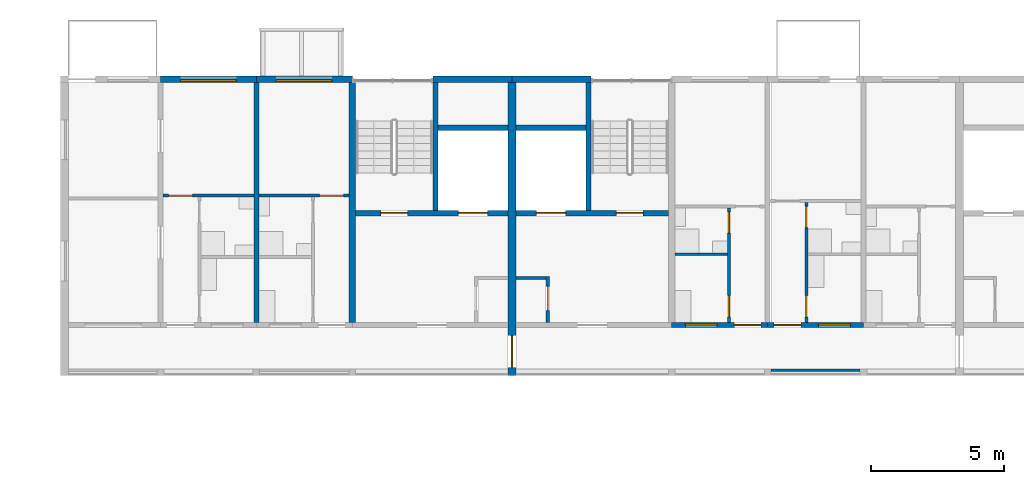
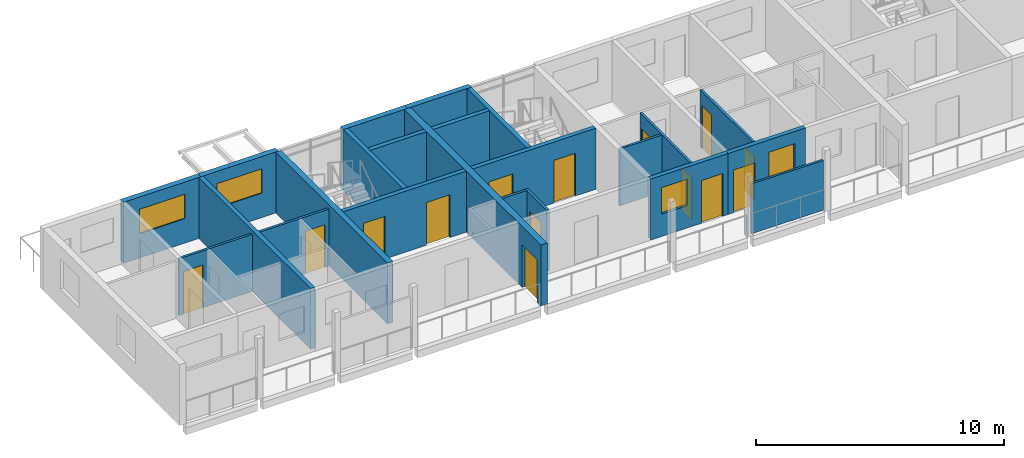
# One storey, part 49 of 115: 23 walls, 14 doors, 4 windows, 18 openings.
"""IFC4 building model written with IfcOpenShell, lengths in metres."""

from ifc_helpers import new_model, si_unit, direction, frame, frame_2d, origin, place, context, subcontext, project, spatial, rectangle, extrude, material, layer, layer_set, type_object, element, fill, save


model = new_model("IFC4")

# Units and contexts
model_context = context("Model", 3, precision=1e-05, world=origin(), true_north=direction((0.0, 1.0)))
body_context = subcontext(model_context, "Body", "Model", "MODEL_VIEW")
ifc_project = project(units=[si_unit("LENGTHUNIT", "METRE"), si_unit("AREAUNIT", "SQUARE_METRE"), si_unit("VOLUMEUNIT", "CUBIC_METRE"), si_unit("PLANEANGLEUNIT", "RADIAN"), si_unit("MASSUNIT", "GRAM", prefix="KILO")], contexts=[model_context])

# Site, building, storey
site_placement = place(None, origin())
site = spatial("IfcSite", under=ifc_project, at=site_placement, CompositionType="ELEMENT")
building_placement = place(site_placement, origin())
building = spatial("IfcBuilding", under=site, at=building_placement, Name="Ridgestep Commons", CompositionType="ELEMENT")
storey_placement = place(building_placement, frame((0.0, 0.0, 6.0)))
storey = spatial("IfcBuildingStorey", under=building, at=storey_placement, Name="L02", CompositionType="ELEMENT", Elevation=6.0)

# Wall
ifc_material_1 = material(Name="Concrete C30/37", Category="concrete")
ifc_layer_1 = layer(ifc_material_1, 0.25)
ifc_layer_set_1 = layer_set([ifc_layer_1], Name="Core cross wall 250")
wall_type_1 = type_object("IfcWallType", Name="Core cross wall 250", PredefinedType="SHEAR", material=ifc_layer_set_1)
wall_1_placement = place(storey_placement, frame((22.800048828125, 68.0, 0.0), z_axis=(0.0, 0.0, 1.0), x_axis=(0.0, 1.0, 0.0)))
element("IfcWall", 1, at=wall_1_placement, inside=storey, type_object=wall_type_1, Name="Cross wall B-02-0228", PredefinedType="SHEAR", context=body_context, shape_type="SweptSolid", body=[
    extrude(rectangle(XDim=9.0, YDim=0.25, at=frame_2d((4.5, 0.0))), origin(), (0.0, 0.0, 1.0), 3.0),
])

# Wall, opening, door
ifc_material_2 = material(Name="Concrete C30/37", Category="concrete")
ifc_layer_2 = layer(ifc_material_2, 0.1201171875)
ifc_layer_set_2 = layer_set([ifc_layer_2], Name="Core wall 120")
wall_type_2 = type_object("IfcWallType", Name="Core wall 120", PredefinedType="SHEAR", material=ifc_layer_set_2)
wall_2_placement = place(storey_placement, frame((30.139892578125, 68.0, 0.0), z_axis=(0.0, 0.0, 1.0), x_axis=(0.0, 1.0, 0.0)))
wall_2 = element("IfcWall", 2, at=wall_2_placement, inside=storey, type_object=wall_type_2, Name="Core riser w wall B2C L02", PredefinedType="SHEAR", context=body_context, shape_type="SweptSolid", body=[
    extrude(rectangle(XDim=1.719970703125, YDim=0.1201171875, at=frame_2d((0.85986328125, 0.0))), origin(), (0.0, 0.0, 1.0), 3.0),
])
opening_1_placement = place(wall_2_placement, frame((0.449951171875, 0.0, 0.0)))
opening_1 = element("IfcOpeningElement", 3, at=opening_1_placement, cuts=wall_2, Name="Opening B2C/02/4", PredefinedType="OPENING", context=body_context, shape_type="SweptSolid", body=[
    extrude(rectangle(XDim=0.89990234375, YDim=2.10009765625, at=frame_2d((0.449951171875, 1.050048828125))), frame((0.0, 0.070068359375, 0.0), z_axis=(0.0, -1.0, 0.0), x_axis=(1.0, 0.0, 0.0)), (0.0, 0.0, 1.0), 0.14013671875),
])
ifc_material_3 = material(Name="Steel fire door", Category="steel")
door_type_1 = type_object("IfcDoorType", Name="Riser door 900 x 2100 FD60", OperationType="NOTDEFINED", PredefinedType="DOOR", material=ifc_material_3)
door_1_placement = place(opening_1_placement, origin())
door_1 = element("IfcDoor", 4, at=door_1_placement, inside=storey, type_object=door_type_1, Name="Riser door B2C/02/4", OperationType="SINGLE_SWING_RIGHT", OverallHeight=2.10009765625, OverallWidth=0.89990234375, PredefinedType="DOOR", context=body_context, shape_type="SweptSolid", body=[
    extrude(rectangle(XDim=0.89990234375, YDim=2.10009765625, at=frame_2d((0.449951171875, 1.050048828125))), frame((0.0, 0.02490234375, 0.0), z_axis=(0.0, -1.0, 0.0), x_axis=(1.0, 0.0, 0.0)), (0.0, 0.0, 1.0), 0.050048828125),
])
fill(opening_1, door_1)

# Wall
wall_3_placement = place(storey_placement, frame((28.949951171875, 69.659912109375, 0.0), z_axis=(0.0, 0.0, 1.0), x_axis=(1.0, 0.0, 0.0)))
element("IfcWall", 5, at=wall_3_placement, inside=storey, type_object=wall_type_2, Name="Core riser n wall B2C L02", PredefinedType="SHEAR", context=body_context, shape_type="SweptSolid", body=[
    extrude(rectangle(XDim=1.130126953125, YDim=0.1201171875, at=frame_2d((0.56494140625, 0.0))), origin(), (0.0, 0.0, 1.0), 3.0),
])

# Wall, openings, doors
ifc_material_4 = material(Name="Concrete C30/37", Category="concrete")
ifc_layer_3 = layer(ifc_material_4, 0.199951171875)
ifc_layer_set_3 = layer_set([ifc_layer_3], Name="Core wall 200")
wall_type_3 = type_object("IfcWallType", Name="Core wall 200", PredefinedType="SHEAR", material=ifc_layer_set_3)
wall_4_placement = place(storey_placement, frame((22.925048828125, 72.10009765625, 0.0), z_axis=(0.0, 0.0, 1.0), x_axis=(1.0, 0.0, 0.0)))
wall_4 = element("IfcWall", 6, at=wall_4_placement, inside=storey, type_object=wall_type_3, Name="Core lobby wall B1C L02", PredefinedType="SHEAR", context=body_context, shape_type="SweptSolid", body=[
    extrude(rectangle(XDim=5.724853515625, YDim=0.199951171875, at=frame_2d((2.8623046875, 0.0))), origin(), (0.0, 0.0, 1.0), 3.0),
])
opening_2_placement = place(wall_4_placement, frame((0.949951171875, 0.0, 0.0)))
opening_2 = element("IfcOpeningElement", 7, at=opening_2_placement, cuts=wall_4, Name="Opening B1C/02/2", PredefinedType="OPENING", context=body_context, shape_type="SweptSolid", body=[
    extrude(rectangle(XDim=1.0, YDim=2.10009765625, at=frame_2d((0.5, 1.050048828125))), frame((0.0, 0.10986328125, 0.0), z_axis=(0.0, -1.0, 0.0), x_axis=(1.0, 0.0, 0.0)), (0.0, 0.0, 1.0), 0.219970703125),
])
opening_3_placement = place(wall_4_placement, frame((3.862548828125, 0.0, 0.0)))
opening_3 = element("IfcOpeningElement", 8, at=opening_3_placement, cuts=wall_4, Name="Opening B1C/02/3", PredefinedType="OPENING", context=body_context, shape_type="SweptSolid", body=[
    extrude(rectangle(XDim=1.10009765625, YDim=2.10009765625, at=frame_2d((0.550048828125, 1.050048828125))), frame((0.0, 0.10986328125, 0.0), z_axis=(0.0, -1.0, 0.0), x_axis=(1.0, 0.0, 0.0)), (0.0, 0.0, 1.0), 0.219970703125),
])
ifc_material_5 = material(Name="Stainless steel", Category="steel")
door_type_2 = type_object("IfcDoorType", Name="Lift landing door 1100 x 2100 FD60", OperationType="DOUBLE_DOOR_SLIDING", PredefinedType="DOOR", material=ifc_material_5)
door_2_placement = place(opening_3_placement, origin())
door_2 = element("IfcDoor", 9, at=door_2_placement, inside=storey, type_object=door_type_2, Name="Landing door LD B1C L02", OperationType="DOUBLE_DOOR_SLIDING", OverallHeight=2.10009765625, OverallWidth=1.10009765625, PredefinedType="DOOR", context=body_context, shape_type="SweptSolid", body=[
    extrude(rectangle(XDim=1.10009765625, YDim=2.10009765625, at=frame_2d((0.550048828125, 1.050048828125))), frame((0.0, 0.02490234375, 0.0), z_axis=(0.0, -1.0, 0.0), x_axis=(1.0, 0.0, 0.0)), (0.0, 0.0, 1.0), 0.050048828125),
])
fill(opening_3, door_2)
ifc_material_6 = material(Name="Steel fire door", Category="steel")
door_type_3 = type_object("IfcDoorType", Name="Stair door 1000 x 2100 FD60", OperationType="NOTDEFINED", PredefinedType="DOOR", material=ifc_material_6)
door_3_placement = place(opening_2_placement, origin())
door_3 = element("IfcDoor", 10, at=door_3_placement, inside=storey, type_object=door_type_3, Name="Stair door B1C/02/2", OperationType="SINGLE_SWING_RIGHT", OverallHeight=2.10009765625, OverallWidth=1.0, PredefinedType="DOOR", context=body_context, shape_type="SweptSolid", body=[
    extrude(rectangle(XDim=1.0, YDim=2.10009765625, at=frame_2d((0.5, 1.050048828125))), frame((0.0, 0.02490234375, 0.0), z_axis=(0.0, -1.0, 0.0), x_axis=(1.0, 0.0, 0.0)), (0.0, 0.0, 1.0), 0.050048828125),
])
fill(opening_2, door_3)

# Walls
wall_5_placement = place(storey_placement, frame((25.925048828125, 72.199951171875, 0.0), z_axis=(0.0, 0.0, 1.0), x_axis=(0.0, 1.0, 0.0)))
element("IfcWall", 11, at=wall_5_placement, inside=storey, type_object=wall_type_3, Name="Core stair wall B1C L02", PredefinedType="SHEAR", context=body_context, shape_type="SweptSolid", body=[
    extrude(rectangle(XDim=4.800048828125, YDim=0.199951171875, at=frame_2d((2.39990234375, 0.0))), origin(), (0.0, 0.0, 1.0), 3.0),
])
wall_6_placement = place(storey_placement, frame((26.02490234375, 75.300048828125, 0.0), z_axis=(0.0, 0.0, 1.0), x_axis=(1.0, 0.0, 0.0)))
element("IfcWall", 12, at=wall_6_placement, inside=storey, type_object=wall_type_3, Name="Core duct wall B1C L02", PredefinedType="SHEAR", context=body_context, shape_type="SweptSolid", body=[
    extrude(rectangle(XDim=2.625, YDim=0.199951171875, at=frame_2d((1.3125, 0.0))), origin(), (0.0, 0.0, 1.0), 3.0),
])

# Wall, openings, doors
wall_7_placement = place(storey_placement, frame((28.949951171875, 72.10009765625, 0.0), z_axis=(0.0, 0.0, 1.0), x_axis=(1.0, 0.0, 0.0)))
wall_7 = element("IfcWall", 13, at=wall_7_placement, inside=storey, type_object=wall_type_3, Name="Core lobby wall B2C L02", PredefinedType="SHEAR", context=body_context, shape_type="SweptSolid", body=[
    extrude(rectangle(XDim=5.72509765625, YDim=0.199951171875, at=frame_2d((2.862548828125, 0.0))), origin(), (0.0, 0.0, 1.0), 3.0),
])
opening_4_placement = place(wall_7_placement, frame((3.77490234375, 0.0, 0.0)))
opening_4 = element("IfcOpeningElement", 14, at=opening_4_placement, cuts=wall_7, Name="Opening B2C/02/2", PredefinedType="OPENING", context=body_context, shape_type="SweptSolid", body=[
    extrude(rectangle(XDim=1.0, YDim=2.10009765625, at=frame_2d((0.5, 1.050048828125))), frame((0.0, 0.10986328125, 0.0), z_axis=(0.0, -1.0, 0.0), x_axis=(1.0, 0.0, 0.0)), (0.0, 0.0, 1.0), 0.219970703125),
])
opening_5_placement = place(wall_7_placement, frame((0.762451171875, 0.0, 0.0)))
opening_5 = element("IfcOpeningElement", 15, at=opening_5_placement, cuts=wall_7, Name="Opening B2C/02/3", PredefinedType="OPENING", context=body_context, shape_type="SweptSolid", body=[
    extrude(rectangle(XDim=1.10009765625, YDim=2.10009765625, at=frame_2d((0.550048828125, 1.050048828125))), frame((0.0, 0.10986328125, 0.0), z_axis=(0.0, -1.0, 0.0), x_axis=(1.0, 0.0, 0.0)), (0.0, 0.0, 1.0), 0.219970703125),
])
door_4_placement = place(opening_5_placement, origin())
door_4 = element("IfcDoor", 16, at=door_4_placement, inside=storey, type_object=door_type_2, Name="Landing door LD B2C L02", OperationType="DOUBLE_DOOR_SLIDING", OverallHeight=2.10009765625, OverallWidth=1.10009765625, PredefinedType="DOOR", context=body_context, shape_type="SweptSolid", body=[
    extrude(rectangle(XDim=1.10009765625, YDim=2.10009765625, at=frame_2d((0.550048828125, 1.050048828125))), frame((0.0, 0.02490234375, 0.0), z_axis=(0.0, -1.0, 0.0), x_axis=(1.0, 0.0, 0.0)), (0.0, 0.0, 1.0), 0.050048828125),
])
fill(opening_5, door_4)
door_5_placement = place(opening_4_placement, origin())
door_5 = element("IfcDoor", 17, at=door_5_placement, inside=storey, type_object=door_type_3, Name="Stair door B2C/02/2", OperationType="SINGLE_SWING_RIGHT", OverallHeight=2.10009765625, OverallWidth=1.0, PredefinedType="DOOR", context=body_context, shape_type="SweptSolid", body=[
    extrude(rectangle(XDim=1.0, YDim=2.10009765625, at=frame_2d((0.5, 1.050048828125))), frame((0.0, 0.02490234375, 0.0), z_axis=(0.0, -1.0, 0.0), x_axis=(1.0, 0.0, 0.0)), (0.0, 0.0, 1.0), 0.050048828125),
])
fill(opening_4, door_5)

# Walls
wall_8_placement = place(storey_placement, frame((31.675048828125, 72.199951171875, 0.0), z_axis=(0.0, 0.0, 1.0), x_axis=(0.0, 1.0, 0.0)))
element("IfcWall", 18, at=wall_8_placement, inside=storey, type_object=wall_type_3, Name="Core stair wall B2C L02", PredefinedType="SHEAR", context=body_context, shape_type="SweptSolid", body=[
    extrude(rectangle(XDim=4.800048828125, YDim=0.199951171875, at=frame_2d((2.39990234375, 0.0))), origin(), (0.0, 0.0, 1.0), 3.0),
])
wall_9_placement = place(storey_placement, frame((28.949951171875, 75.300048828125, 0.0), z_axis=(0.0, 0.0, 1.0), x_axis=(1.0, 0.0, 0.0)))
element("IfcWall", 19, at=wall_9_placement, inside=storey, type_object=wall_type_3, Name="Core duct wall B2C L02", PredefinedType="SHEAR", context=body_context, shape_type="SweptSolid", body=[
    extrude(rectangle(XDim=2.625, YDim=0.199951171875, at=frame_2d((1.3125, 0.0))), origin(), (0.0, 0.0, 1.0), 3.0),
])
ifc_material_7 = material(Name="Precast concrete C40/50", Category="concrete")
ifc_layer_4 = layer(ifc_material_7, 0.199951171875)
ifc_layer_set_4 = layer_set([ifc_layer_4], Name="Cross wall 200")
wall_type_4 = type_object("IfcWallType", Name="Cross wall 200", PredefinedType="SHEAR", material=ifc_layer_set_4)
wall_10_placement = place(storey_placement, frame((19.199951171875, 68.0, 0.0), z_axis=(0.0, 0.0, 1.0), x_axis=(0.0, 1.0, 0.0)))
element("IfcWall", 20, at=wall_10_placement, inside=storey, type_object=wall_type_4, Name="Cross wall B-02-0192", PredefinedType="SHEAR", context=body_context, shape_type="SweptSolid", body=[
    extrude(rectangle(XDim=9.0, YDim=0.199951171875, at=frame_2d((4.5, 0.0))), origin(), (0.0, 0.0, 1.0), 3.0),
])

# Wall, opening, door
ifc_material_8 = material(Name="Precast concrete C40/50", Category="concrete")
ifc_layer_5 = layer(ifc_material_8, 0.300048828125)
ifc_layer_set_5 = layer_set([ifc_layer_5], Name="Division wall 300")
wall_type_5 = type_object("IfcWallType", Name="Division wall 300", PredefinedType="SHEAR", material=ifc_layer_set_5)
wall_11_placement = place(storey_placement, frame((28.800048828125, 66.0, 0.0), z_axis=(0.0, 0.0, 1.0), x_axis=(0.0, 1.0, 0.0)))
wall_11 = element("IfcWall", 21, at=wall_11_placement, inside=storey, type_object=wall_type_5, Name="Cross wall B-02-0288", PredefinedType="SHEAR", context=body_context, shape_type="SweptSolid", body=[
    extrude(rectangle(XDim=11.0, YDim=0.300048828125, at=frame_2d((5.5, 0.0))), origin(), (0.0, 0.0, 1.0), 3.0),
])
opening_6_placement = place(wall_11_placement, frame((0.300048828125, 0.0, 0.0)))
opening_6 = element("IfcOpeningElement", 22, at=opening_6_placement, cuts=wall_11, Name="Opening B/02/G0288", PredefinedType="OPENING", context=body_context, shape_type="SweptSolid", body=[
    extrude(rectangle(XDim=1.199951171875, YDim=2.10009765625, at=frame_2d((0.60009765625, 1.050048828125))), frame((0.0, 0.159912109375, 0.0), z_axis=(0.0, -1.0, 0.0), x_axis=(1.0, 0.0, 0.0)), (0.0, 0.0, 1.0), 0.320068359375),
])
ifc_material_9 = material(Name="Steel fire door", Category="steel")
door_type_4 = type_object("IfcDoorType", Name="Division fire door 1200 x 2100 EI 240", OperationType="DOUBLE_DOOR_SINGLE_SWING", PredefinedType="DOOR", material=ifc_material_9)
door_6_placement = place(opening_6_placement, origin())
door_6 = element("IfcDoor", 23, at=door_6_placement, inside=storey, type_object=door_type_4, Name="Division fire door B/02/G0288", OperationType="DOUBLE_DOOR_SINGLE_SWING", OverallHeight=2.10009765625, OverallWidth=1.199951171875, PredefinedType="DOOR", context=body_context, shape_type="SweptSolid", body=[
    extrude(rectangle(XDim=1.199951171875, YDim=2.10009765625, at=frame_2d((0.60009765625, 1.050048828125))), frame((0.0, 0.02490234375, 0.0), z_axis=(0.0, -1.0, 0.0), x_axis=(1.0, 0.0, 0.0)), (0.0, 0.0, 1.0), 0.050048828125),
])
fill(opening_6, door_6)

# Wall, opening, window
ifc_material_10 = material(Name="Precast concrete C40/50", Category="concrete")
ifc_layer_6 = layer(ifc_material_10, 0.25)
ifc_layer_set_6 = layer_set([ifc_layer_6], Name="North facade panel 250")
wall_type_6 = type_object("IfcWallType", Name="North facade panel 250", PredefinedType="SOLIDWALL", material=ifc_layer_set_6)
wall_12_placement = place(storey_placement, frame((15.60009765625, 77.125, 0.0), z_axis=(0.0, 0.0, 1.0), x_axis=(1.0, 0.0, 0.0)))
wall_12 = element("IfcWall", 24, at=wall_12_placement, inside=storey, type_object=wall_type_6, Name="North panel B1T2 L02", PredefinedType="SOLIDWALL", context=body_context, shape_type="SweptSolid", body=[
    extrude(rectangle(XDim=3.599853515625, YDim=0.25, at=frame_2d((1.7998046875, 0.0))), origin(), (0.0, 0.0, 1.0), 3.0),
])
opening_7_placement = place(wall_12_placement, frame((0.75, 0.0, 1.199951171875)))
opening_7 = element("IfcOpeningElement", 25, at=opening_7_placement, cuts=wall_12, Name="Opening W22", PredefinedType="OPENING", context=body_context, shape_type="SweptSolid", body=[
    extrude(rectangle(XDim=2.10009765625, YDim=1.199951171875, at=frame_2d((1.050048828125, 0.60009765625))), frame((0.0, 0.135009765625, 0.0), z_axis=(0.0, -1.0, 0.0), x_axis=(1.0, 0.0, 0.0)), (0.0, 0.0, 1.0), 0.27001953125),
])
ifc_material_11 = material(Name="Aluminium 6063-T6 and glass", Category="aluminium")
window_type_1 = type_object("IfcWindowType", Name="Flat window 2100 x 1200", PartitioningType="DOUBLE_PANEL_VERTICAL", PredefinedType="WINDOW", material=ifc_material_11)
window_1_placement = place(opening_7_placement, origin())
window_1 = element("IfcWindow", 26, at=window_1_placement, inside=storey, type_object=window_type_1, Name="Window B1-02a 4", OverallHeight=1.199951171875, OverallWidth=2.10009765625, PartitioningType="SINGLE_PANEL", PredefinedType="WINDOW", context=body_context, shape_type="SweptSolid", body=[
    extrude(rectangle(XDim=2.10009765625, YDim=1.199951171875, at=frame_2d((1.050048828125, 0.60009765625))), frame((0.0, -0.02490234375, 0.0), z_axis=(0.0, -1.0, 0.0), x_axis=(1.0, 0.0, 0.0)), (0.0, 0.0, 1.0), 0.06005859375),
])
fill(opening_7, window_1)

wall_13_placement = place(storey_placement, frame((19.199951171875, 77.125, 0.0), z_axis=(0.0, 0.0, 1.0), x_axis=(1.0, 0.0, 0.0)))
wall_13 = element("IfcWall", 27, at=wall_13_placement, inside=storey, type_object=wall_type_6, Name="North panel B1T3 L02", PredefinedType="SOLIDWALL", context=body_context, shape_type="SweptSolid", body=[
    extrude(rectangle(XDim=3.60009765625, YDim=0.25, at=frame_2d((1.800048828125, 0.0))), origin(), (0.0, 0.0, 1.0), 3.0),
])
opening_8_placement = place(wall_13_placement, frame((0.737548828125, 0.0, 1.199951171875)))
opening_8 = element("IfcOpeningElement", 28, at=opening_8_placement, cuts=wall_13, Name="Opening W22", PredefinedType="OPENING", context=body_context, shape_type="SweptSolid", body=[
    extrude(rectangle(XDim=2.10009765625, YDim=1.199951171875, at=frame_2d((1.050048828125, 0.60009765625))), frame((0.0, 0.135009765625, 0.0), z_axis=(0.0, -1.0, 0.0), x_axis=(1.0, 0.0, 0.0)), (0.0, 0.0, 1.0), 0.27001953125),
])
window_2_placement = place(opening_8_placement, origin())
window_2 = element("IfcWindow", 29, at=window_2_placement, inside=storey, type_object=window_type_1, Name="Window B1-02b 2", OverallHeight=1.199951171875, OverallWidth=2.10009765625, PartitioningType="SINGLE_PANEL", PredefinedType="WINDOW", context=body_context, shape_type="SweptSolid", body=[
    extrude(rectangle(XDim=2.10009765625, YDim=1.199951171875, at=frame_2d((1.050048828125, 0.60009765625))), frame((0.0, -0.02490234375, 0.0), z_axis=(0.0, -1.0, 0.0), x_axis=(1.0, 0.0, 0.0)), (0.0, 0.0, 1.0), 0.06005859375),
])
fill(opening_8, window_2)

# Walls
wall_14_placement = place(storey_placement, frame((25.824951171875, 77.125, 0.0), z_axis=(0.0, 0.0, 1.0), x_axis=(1.0, 0.0, 0.0)))
element("IfcWall", 30, at=wall_14_placement, inside=storey, type_object=wall_type_6, Name="North panel B1C L02", PredefinedType="SOLIDWALL", context=body_context, shape_type="SweptSolid", body=[
    extrude(rectangle(XDim=2.97509765625, YDim=0.25, at=frame_2d((1.487548828125, 0.0))), origin(), (0.0, 0.0, 1.0), 3.0),
])
wall_15_placement = place(storey_placement, frame((28.800048828125, 77.125, 0.0), z_axis=(0.0, 0.0, 1.0), x_axis=(1.0, 0.0, 0.0)))
element("IfcWall", 31, at=wall_15_placement, inside=storey, type_object=wall_type_6, Name="North panel B2C L02", PredefinedType="SOLIDWALL", context=body_context, shape_type="SweptSolid", body=[
    extrude(rectangle(XDim=2.974853515625, YDim=0.25, at=frame_2d((1.4873046875, 0.0))), origin(), (0.0, 0.0, 1.0), 3.0),
])

# Wall, opening, door
ifc_material_12 = material(Name="Common brick 110 mm", Category="masonry")
ifc_layer_7 = layer(ifc_material_12, 0.110107421875)
ifc_layer_set_7 = layer_set([ifc_layer_7], Name="Partition 110")
wall_type_7 = type_object("IfcWallType", Name="Partition 110", PredefinedType="PARTITIONING", material=ifc_layer_set_7)
wall_16_placement = place(storey_placement, frame((15.699951171875, 72.7548828125, 0.0), z_axis=(0.0, 0.0, 1.0), x_axis=(1.0, 0.0, 0.0)))
wall_16 = element("IfcWall", 32, at=wall_16_placement, inside=storey, type_object=wall_type_7, Name="Partition B1-02a", PredefinedType="PARTITIONING", context=body_context, shape_type="SweptSolid", body=[
    extrude(rectangle(XDim=3.400146484375, YDim=0.110107421875, at=frame_2d((1.7001953125, 0.0))), origin(), (0.0, 0.0, 1.0), 2.800048828125),
])
opening_9_placement = place(wall_16_placement, frame((0.199951171875, 0.0, 0.0)))
opening_9 = element("IfcOpeningElement", 33, at=opening_9_placement, cuts=wall_16, Name="Opening B1-02a/4", PredefinedType="OPENING", context=body_context, shape_type="SweptSolid", body=[
    extrude(rectangle(XDim=0.89990234375, YDim=2.10009765625, at=frame_2d((0.449951171875, 1.050048828125))), frame((0.0, 0.06494140625, 0.0), z_axis=(0.0, -1.0, 0.0), x_axis=(1.0, 0.0, 0.0)), (0.0, 0.0, 1.0), 0.130126953125),
])
ifc_material_13 = material(Name="Timber door leaf", Category="wood")
door_type_5 = type_object("IfcDoorType", Name="Internal door 900 x 2100", OperationType="NOTDEFINED", PredefinedType="DOOR", material=ifc_material_13)
door_7_placement = place(opening_9_placement, origin())
door_7 = element("IfcDoor", 34, at=door_7_placement, inside=storey, type_object=door_type_5, Name="Internal door B1-02a/4", OperationType="SINGLE_SWING_RIGHT", OverallHeight=2.10009765625, OverallWidth=0.89990234375, PredefinedType="DOOR", context=body_context, shape_type="SweptSolid", body=[
    extrude(rectangle(XDim=0.89990234375, YDim=2.10009765625, at=frame_2d((0.449951171875, 1.050048828125))), frame((0.0, 0.02490234375, 0.0), z_axis=(0.0, -1.0, 0.0), x_axis=(1.0, 0.0, 0.0)), (0.0, 0.0, 1.0), 0.050048828125),
])
fill(opening_9, door_7)

wall_17_placement = place(storey_placement, frame((19.300048828125, 72.7548828125, 0.0), z_axis=(0.0, 0.0, 1.0), x_axis=(1.0, 0.0, 0.0)))
wall_17 = element("IfcWall", 35, at=wall_17_placement, inside=storey, type_object=wall_type_7, Name="Partition B1-02b", PredefinedType="PARTITIONING", context=body_context, shape_type="SweptSolid", body=[
    extrude(rectangle(XDim=3.375, YDim=0.110107421875, at=frame_2d((1.6875, 0.0))), origin(), (0.0, 0.0, 1.0), 2.800048828125),
])
opening_10_placement = place(wall_17_placement, frame((2.27490234375, 0.0, 0.0)))
opening_10 = element("IfcOpeningElement", 36, at=opening_10_placement, cuts=wall_17, Name="Opening B1-02b/4", PredefinedType="OPENING", context=body_context, shape_type="SweptSolid", body=[
    extrude(rectangle(XDim=0.89990234375, YDim=2.10009765625, at=frame_2d((0.449951171875, 1.050048828125))), frame((0.0, 0.06494140625, 0.0), z_axis=(0.0, -1.0, 0.0), x_axis=(1.0, 0.0, 0.0)), (0.0, 0.0, 1.0), 0.130126953125),
])
door_8_placement = place(opening_10_placement, origin())
door_8 = element("IfcDoor", 37, at=door_8_placement, inside=storey, type_object=door_type_5, Name="Internal door B1-02b/4", OperationType="SINGLE_SWING_LEFT", OverallHeight=2.10009765625, OverallWidth=0.89990234375, PredefinedType="DOOR", context=body_context, shape_type="SweptSolid", body=[
    extrude(rectangle(XDim=0.89990234375, YDim=2.10009765625, at=frame_2d((0.449951171875, 1.050048828125))), frame((0.0, 0.02490234375, 0.0), z_axis=(0.0, -1.0, 0.0), x_axis=(1.0, 0.0, 0.0)), (0.0, 0.0, 1.0), 0.050048828125),
])
fill(opening_10, door_8)

# Wall, openings, doors
wall_18_placement = place(storey_placement, frame((39.85498046875, 68.0, 0.0), z_axis=(0.0, 0.0, 1.0), x_axis=(0.0, 1.0, 0.0)))
wall_18 = element("IfcWall", 38, at=wall_18_placement, inside=storey, type_object=wall_type_7, Name="Partition B2-02b", PredefinedType="PARTITIONING", context=body_context, shape_type="SweptSolid", body=[
    extrude(rectangle(XDim=4.5, YDim=0.110107421875, at=frame_2d((2.25, 0.0))), origin(), (0.0, 0.0, 1.0), 2.800048828125),
])
opening_11_placement = place(wall_18_placement, frame((0.199951171875, 0.0, 0.0)))
opening_11 = element("IfcOpeningElement", 39, at=opening_11_placement, cuts=wall_18, Name="Opening B2-02b/2", PredefinedType="OPENING", context=body_context, shape_type="SweptSolid", body=[
    extrude(rectangle(XDim=0.800048828125, YDim=2.10009765625, at=frame_2d((0.39990234375, 1.050048828125))), frame((0.0, 0.06494140625, 0.0), z_axis=(0.0, -1.0, 0.0), x_axis=(1.0, 0.0, 0.0)), (0.0, 0.0, 1.0), 0.130126953125),
])
opening_12_placement = place(wall_18_placement, frame((3.550048828125, 0.0, 0.0)))
opening_12 = element("IfcOpeningElement", 40, at=opening_12_placement, cuts=wall_18, Name="Opening B2-02b/3", PredefinedType="OPENING", context=body_context, shape_type="SweptSolid", body=[
    extrude(rectangle(XDim=0.800048828125, YDim=2.10009765625, at=frame_2d((0.39990234375, 1.050048828125))), frame((0.0, 0.06494140625, 0.0), z_axis=(0.0, -1.0, 0.0), x_axis=(1.0, 0.0, 0.0)), (0.0, 0.0, 1.0), 0.130126953125),
])
ifc_material_14 = material(Name="Timber door leaf", Category="wood")
door_type_6 = type_object("IfcDoorType", Name="Internal door 800 x 2100", OperationType="NOTDEFINED", PredefinedType="DOOR", material=ifc_material_14)
door_9_placement = place(opening_11_placement, origin())
door_9 = element("IfcDoor", 41, at=door_9_placement, inside=storey, type_object=door_type_6, Name="Internal door B2-02b/2", OperationType="SINGLE_SWING_RIGHT", OverallHeight=2.10009765625, OverallWidth=0.800048828125, PredefinedType="DOOR", context=body_context, shape_type="SweptSolid", body=[
    extrude(rectangle(XDim=0.800048828125, YDim=2.10009765625, at=frame_2d((0.39990234375, 1.050048828125))), frame((0.0, 0.02490234375, 0.0), z_axis=(0.0, -1.0, 0.0), x_axis=(1.0, 0.0, 0.0)), (0.0, 0.0, 1.0), 0.050048828125),
])
fill(opening_11, door_9)
door_10_placement = place(opening_12_placement, origin())
door_10 = element("IfcDoor", 42, at=door_10_placement, inside=storey, type_object=door_type_6, Name="Internal door B2-02b/3", OperationType="SINGLE_SWING_LEFT", OverallHeight=2.10009765625, OverallWidth=0.800048828125, PredefinedType="DOOR", context=body_context, shape_type="SweptSolid", body=[
    extrude(rectangle(XDim=0.800048828125, YDim=2.10009765625, at=frame_2d((0.39990234375, 1.050048828125))), frame((0.0, 0.02490234375, 0.0), z_axis=(0.0, -1.0, 0.0), x_axis=(1.0, 0.0, 0.0)), (0.0, 0.0, 1.0), 0.050048828125),
])
fill(opening_12, door_10)

# Wall
wall_19_placement = place(storey_placement, frame((34.925048828125, 70.554931640625, 0.0), z_axis=(0.0, 0.0, 1.0), x_axis=(1.0, 0.0, 0.0)))
element("IfcWall", 43, at=wall_19_placement, inside=storey, type_object=wall_type_7, Name="Partition B2-02c", PredefinedType="PARTITIONING", context=body_context, shape_type="SweptSolid", body=[
    extrude(rectangle(XDim=1.96484375, YDim=0.110107421875, at=frame_2d((0.982421875, 0.0))), origin(), (0.0, 0.0, 1.0), 2.800048828125),
])

# Wall, openings, doors
wall_20_placement = place(storey_placement, frame((36.945068359375, 68.0, 0.0), z_axis=(0.0, 0.0, 1.0), x_axis=(0.0, 1.0, 0.0)))
wall_20 = element("IfcWall", 44, at=wall_20_placement, inside=storey, type_object=wall_type_7, Name="Partition B2-02c", PredefinedType="PARTITIONING", context=body_context, shape_type="SweptSolid", body=[
    extrude(rectangle(XDim=4.300048828125, YDim=0.110107421875, at=frame_2d((2.14990234375, 0.0))), origin(), (0.0, 0.0, 1.0), 2.800048828125),
])
opening_13_placement = place(wall_20_placement, frame((0.199951171875, 0.0, 0.0)))
opening_13 = element("IfcOpeningElement", 45, at=opening_13_placement, cuts=wall_20, Name="Opening B2-02c/2", PredefinedType="OPENING", context=body_context, shape_type="SweptSolid", body=[
    extrude(rectangle(XDim=0.800048828125, YDim=2.10009765625, at=frame_2d((0.39990234375, 1.050048828125))), frame((0.0, 0.06494140625, 0.0), z_axis=(0.0, -1.0, 0.0), x_axis=(1.0, 0.0, 0.0)), (0.0, 0.0, 1.0), 0.130126953125),
])
opening_14_placement = place(wall_20_placement, frame((3.35009765625, 0.0, 0.0)))
opening_14 = element("IfcOpeningElement", 46, at=opening_14_placement, cuts=wall_20, Name="Opening B2-02c/3", PredefinedType="OPENING", context=body_context, shape_type="SweptSolid", body=[
    extrude(rectangle(XDim=0.800048828125, YDim=2.10009765625, at=frame_2d((0.39990234375, 1.050048828125))), frame((0.0, 0.06494140625, 0.0), z_axis=(0.0, -1.0, 0.0), x_axis=(1.0, 0.0, 0.0)), (0.0, 0.0, 1.0), 0.130126953125),
])
door_11_placement = place(opening_13_placement, origin())
door_11 = element("IfcDoor", 47, at=door_11_placement, inside=storey, type_object=door_type_6, Name="Internal door B2-02c/2", OperationType="SINGLE_SWING_LEFT", OverallHeight=2.10009765625, OverallWidth=0.800048828125, PredefinedType="DOOR", context=body_context, shape_type="SweptSolid", body=[
    extrude(rectangle(XDim=0.800048828125, YDim=2.10009765625, at=frame_2d((0.39990234375, 1.050048828125))), frame((0.0, 0.02490234375, 0.0), z_axis=(0.0, -1.0, 0.0), x_axis=(1.0, 0.0, 0.0)), (0.0, 0.0, 1.0), 0.050048828125),
])
fill(opening_13, door_11)
door_12_placement = place(opening_14_placement, origin())
door_12 = element("IfcDoor", 48, at=door_12_placement, inside=storey, type_object=door_type_6, Name="Internal door B2-02c/3", OperationType="SINGLE_SWING_RIGHT", OverallHeight=2.10009765625, OverallWidth=0.800048828125, PredefinedType="DOOR", context=body_context, shape_type="SweptSolid", body=[
    extrude(rectangle(XDim=0.800048828125, YDim=2.10009765625, at=frame_2d((0.39990234375, 1.050048828125))), frame((0.0, 0.02490234375, 0.0), z_axis=(0.0, -1.0, 0.0), x_axis=(1.0, 0.0, 0.0)), (0.0, 0.0, 1.0), 0.050048828125),
])
fill(opening_14, door_12)

# Wall
ifc_material_15 = material(Name="Precast concrete C30/37", Category="concrete")
ifc_layer_8 = layer(ifc_material_15, 0.10009765625)
ifc_layer_set_8 = layer_set([ifc_layer_8], Name="Perforated gallery screen 3350 x 2450 x 100")
wall_type_8 = type_object("IfcWallType", Name="Perforated gallery screen 3350 x 2450 x 100", PredefinedType="SOLIDWALL", material=ifc_layer_set_8)
wall_21_placement = place(storey_placement, frame((38.52490234375, 66.199951171875, 0.0), z_axis=(0.0, 0.0, 1.0), x_axis=(1.0, 0.0, 0.0)))
element("IfcWall", 49, at=wall_21_placement, inside=storey, type_object=wall_type_8, Name="Gallery screen B2T2 02", PredefinedType="SOLIDWALL", context=body_context, shape_type="SweptSolid", body=[
    extrude(rectangle(XDim=3.35009765625, YDim=0.10009765625, at=frame_2d((1.675048828125, 0.0))), origin(), (0.0, 0.0, 1.0), 2.449951171875),
])

# Wall, openings, door, window
ifc_material_16 = material(Name="Precast concrete C40/50", Category="concrete")
ifc_layer_9 = layer(ifc_material_16, 0.199951171875)
ifc_layer_set_9 = layer_set([ifc_layer_9], Name="South facade panel 200")
wall_type_9 = type_object("IfcWallType", Name="South facade panel 200", PredefinedType="SOLIDWALL", material=ifc_layer_set_9)
wall_22_placement = place(storey_placement, frame((34.800048828125, 67.89990234375, 0.0), z_axis=(0.0, 0.0, 1.0), x_axis=(1.0, 0.0, 0.0)))
wall_22 = element("IfcWall", 50, at=wall_22_placement, inside=storey, type_object=wall_type_9, Name="South panel B2T3 L02", PredefinedType="SOLIDWALL", context=body_context, shape_type="SweptSolid", body=[
    extrude(rectangle(XDim=3.599853515625, YDim=0.199951171875, at=frame_2d((1.7998046875, 0.0))), origin(), (0.0, 0.0, 1.0), 3.0),
])
opening_15_placement = place(wall_22_placement, frame((0.507568359375, 0.0, 1.10009765625)))
opening_15 = element("IfcOpeningElement", 51, at=opening_15_placement, cuts=wall_22, Name="Opening W08", PredefinedType="OPENING", context=body_context, shape_type="SweptSolid", body=[
    extrude(rectangle(XDim=1.199951171875, YDim=1.300048828125, at=frame_2d((0.60009765625, 0.64990234375))), frame((0.0, 0.10986328125, 0.0), z_axis=(0.0, -1.0, 0.0), x_axis=(1.0, 0.0, 0.0)), (0.0, 0.0, 1.0), 0.219970703125),
])
opening_16_placement = place(wall_22_placement, frame((2.35009765625, 0.0, 0.0)))
opening_16 = element("IfcOpeningElement", 52, at=opening_16_placement, cuts=wall_22, Name="Opening B2-02c/1", PredefinedType="OPENING", context=body_context, shape_type="SweptSolid", body=[
    extrude(rectangle(XDim=1.0, YDim=2.10009765625, at=frame_2d((0.5, 1.050048828125))), frame((0.0, 0.10986328125, 0.0), z_axis=(0.0, -1.0, 0.0), x_axis=(1.0, 0.0, 0.0)), (0.0, 0.0, 1.0), 0.219970703125),
])
ifc_material_17 = material(Name="Timber door leaf", Category="wood")
door_type_7 = type_object("IfcDoorType", Name="Flat entrance door 1000 x 2100 FD30S", OperationType="NOTDEFINED", PredefinedType="DOOR", material=ifc_material_17)
door_13_placement = place(opening_16_placement, origin())
door_13 = element("IfcDoor", 53, at=door_13_placement, inside=storey, type_object=door_type_7, Name="Flat entrance door B2-02c/1", OperationType="SINGLE_SWING_RIGHT", OverallHeight=2.10009765625, OverallWidth=1.0, PredefinedType="DOOR", context=body_context, shape_type="SweptSolid", body=[
    extrude(rectangle(XDim=1.0, YDim=2.10009765625, at=frame_2d((0.5, 1.050048828125))), frame((0.0, 0.02490234375, 0.0), z_axis=(0.0, -1.0, 0.0), x_axis=(1.0, 0.0, 0.0)), (0.0, 0.0, 1.0), 0.050048828125),
])
fill(opening_16, door_13)
ifc_material_18 = material(Name="Aluminium 6063-T6 and glass", Category="aluminium")
window_type_2 = type_object("IfcWindowType", Name="Flat window 1200 x 1300", PartitioningType="SINGLE_PANEL", PredefinedType="WINDOW", material=ifc_material_18)
window_3_placement = place(opening_15_placement, origin())
window_3 = element("IfcWindow", 54, at=window_3_placement, inside=storey, type_object=window_type_2, Name="Window B2-02c 1", OverallHeight=1.300048828125, OverallWidth=1.199951171875, PartitioningType="SINGLE_PANEL", PredefinedType="WINDOW", context=body_context, shape_type="SweptSolid", body=[
    extrude(rectangle(XDim=1.199951171875, YDim=1.300048828125, at=frame_2d((0.60009765625, 0.64990234375))), frame((0.0, 0.06005859375, 0.0), z_axis=(0.0, -1.0, 0.0), x_axis=(1.0, 0.0, 0.0)), (0.0, 0.0, 1.0), 0.06005859375),
])
fill(opening_15, window_3)

wall_23_placement = place(storey_placement, frame((38.39990234375, 67.89990234375, 0.0), z_axis=(0.0, 0.0, 1.0), x_axis=(1.0, 0.0, 0.0)))
wall_23 = element("IfcWall", 55, at=wall_23_placement, inside=storey, type_object=wall_type_9, Name="South panel B2T2 L02", PredefinedType="SOLIDWALL", context=body_context, shape_type="SweptSolid", body=[
    extrude(rectangle(XDim=3.60009765625, YDim=0.199951171875, at=frame_2d((1.800048828125, 0.0))), origin(), (0.0, 0.0, 1.0), 3.0),
])
opening_17_placement = place(wall_23_placement, frame((1.905029296875, 0.0, 1.10009765625)))
opening_17 = element("IfcOpeningElement", 56, at=opening_17_placement, cuts=wall_23, Name="Opening W08", PredefinedType="OPENING", context=body_context, shape_type="SweptSolid", body=[
    extrude(rectangle(XDim=1.199951171875, YDim=1.300048828125, at=frame_2d((0.60009765625, 0.64990234375))), frame((0.0, 0.10986328125, 0.0), z_axis=(0.0, -1.0, 0.0), x_axis=(1.0, 0.0, 0.0)), (0.0, 0.0, 1.0), 0.219970703125),
])
opening_18_placement = place(wall_23_placement, frame((0.25, 0.0, 0.0)))
opening_18 = element("IfcOpeningElement", 57, at=opening_18_placement, cuts=wall_23, Name="Opening B2-02b/1", PredefinedType="OPENING", context=body_context, shape_type="SweptSolid", body=[
    extrude(rectangle(XDim=1.0, YDim=2.10009765625, at=frame_2d((0.5, 1.050048828125))), frame((0.0, 0.10986328125, 0.0), z_axis=(0.0, -1.0, 0.0), x_axis=(1.0, 0.0, 0.0)), (0.0, 0.0, 1.0), 0.219970703125),
])
door_14_placement = place(opening_18_placement, origin())
door_14 = element("IfcDoor", 58, at=door_14_placement, inside=storey, type_object=door_type_7, Name="Flat entrance door B2-02b/1", OperationType="SINGLE_SWING_LEFT", OverallHeight=2.10009765625, OverallWidth=1.0, PredefinedType="DOOR", context=body_context, shape_type="SweptSolid", body=[
    extrude(rectangle(XDim=1.0, YDim=2.10009765625, at=frame_2d((0.5, 1.050048828125))), frame((0.0, 0.02490234375, 0.0), z_axis=(0.0, -1.0, 0.0), x_axis=(1.0, 0.0, 0.0)), (0.0, 0.0, 1.0), 0.050048828125),
])
fill(opening_18, door_14)
window_4_placement = place(opening_17_placement, origin())
window_4 = element("IfcWindow", 59, at=window_4_placement, inside=storey, type_object=window_type_2, Name="Window B2-02b 1", OverallHeight=1.300048828125, OverallWidth=1.199951171875, PartitioningType="SINGLE_PANEL", PredefinedType="WINDOW", context=body_context, shape_type="SweptSolid", body=[
    extrude(rectangle(XDim=1.199951171875, YDim=1.300048828125, at=frame_2d((0.60009765625, 0.64990234375))), frame((0.0, 0.06005859375, 0.0), z_axis=(0.0, -1.0, 0.0), x_axis=(1.0, 0.0, 0.0)), (0.0, 0.0, 1.0), 0.06005859375),
])
fill(opening_17, window_4)

save(model, "model.ifc")
